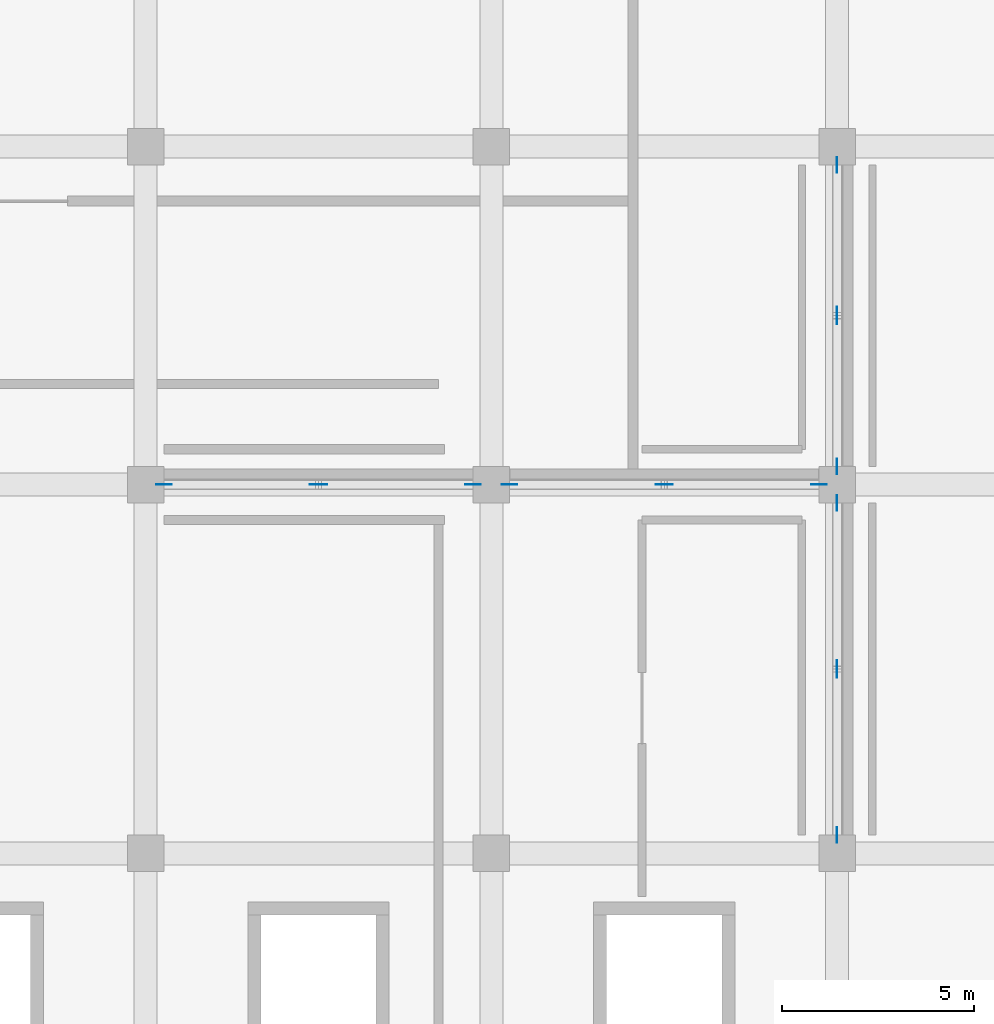
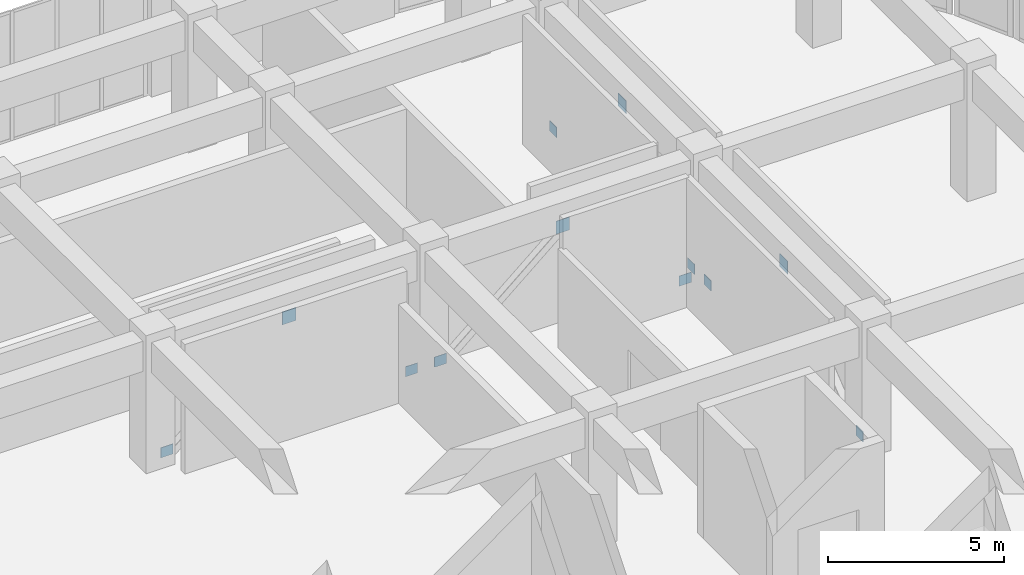
# One storey, part 50 of 86: 12 plates.
"""IFC4 building model written with IfcOpenShell, lengths in metres."""

from ifc_helpers import new_model, si_unit, direction, frame, origin, origin_2d, place, context, subcontext, project, spatial, rectangle, extrude, material, layer, layer_set, type_object, element, save


model = new_model("IFC4")

# Units and contexts
model_context = context("Model", 3, precision=1e-05, world=origin(), true_north=direction((0.0, 1.0)))
body_context = subcontext(model_context, "Body", "Model", "MODEL_VIEW")
ifc_project = project(units=[si_unit("LENGTHUNIT", "METRE"), si_unit("AREAUNIT", "SQUARE_METRE"), si_unit("VOLUMEUNIT", "CUBIC_METRE"), si_unit("PLANEANGLEUNIT", "RADIAN"), si_unit("MASSUNIT", "GRAM", prefix="KILO")], contexts=[model_context])

# Site, building, storey
site_placement = place(None, origin())
site = spatial("IfcSite", under=ifc_project, at=site_placement, CompositionType="ELEMENT")
building_placement = place(site_placement, origin())
building = spatial("IfcBuilding", under=site, at=building_placement, Name="Cendralis Terraced Arcade", CompositionType="ELEMENT")
storey_placement = place(building_placement, frame((0.0, 0.0, 5.39990234375)))
storey = spatial("IfcBuildingStorey", under=building, at=storey_placement, Name="L01", CompositionType="ELEMENT", Elevation=5.39990234375)

# Plates
ifc_material = material(Name="Steel ASTM A572 Grade 50", Category="steel")
ifc_layer_1 = layer(ifc_material, 0.01611328125, Name="PLT-GUS-400x350x16")
ifc_layer_set_1 = layer_set([ifc_layer_1], Name="Steel ASTM A572 Grade 50")
plate_type_1 = type_object("IfcPlateType", Name="PLT-GUS-400x350x16", PredefinedType="SHEET", material=ifc_layer_set_1)
for number, where, z_axis, x_axis, name in (
    (1, (139.675048828125, 98.39990234375, 0.005126953125), (0.0, 0.0, 1.0), (1.0, 0.0, 0.0), "Chevron Brace Base Gusset Plate L01-004-1"),
    (2, (147.72509765625, 98.39990234375, 0.005126953125), (0.0, 0.0, 1.0), (1.0, 0.0, 0.0), "Chevron Brace Base Gusset Plate L01-004-2"),
    (3, (148.675048828125, 98.39990234375, 0.005126953125), (0.0, 0.0, 1.0), (1.0, 0.0, 0.0), "Chevron Brace Base Gusset Plate L01-012-1"),
    (4, (156.72509765625, 98.39990234375, 0.005126953125), (0.0, 0.0, 1.0), (1.0, 0.0, 0.0), "Chevron Brace Base Gusset Plate L01-012-2"),
    (5, (157.199951171875, 89.27490234375, 0.005126953125), (0.0, 0.0, 1.0), (0.0, 1.0, 0.0), "Chevron Brace Base Gusset Plate L01-020-1"),
    (6, (157.199951171875, 97.925048828125, 0.005126953125), (0.0, 0.0, 1.0), (0.0, 1.0, 0.0), "Chevron Brace Base Gusset Plate L01-020-2"),
    (7, (157.199951171875, 98.875, 0.005126953125), (0.0, 0.0, 1.0), (0.0, 1.0, 0.0), "Chevron Brace Base Gusset Plate L01-028-1"),
    (8, (157.199951171875, 106.72509765625, 0.005126953125), (0.0, 0.0, 1.0), (0.0, 1.0, 0.0), "Chevron Brace Base Gusset Plate L01-028-2"),
):
    element("IfcPlate", number, at=place(storey_placement, frame(where, z_axis=z_axis, x_axis=x_axis)), inside=storey, type_object=plate_type_1, Name=name, PredefinedType="SHEET", context=body_context, shape_type="SweptSolid", body=[
        extrude(rectangle(XDim=0.39990234375, YDim=0.01611328125, at=origin_2d()), origin(), (0.0, 0.0, 1.0), 0.35009765625),
    ])
ifc_layer_2 = layer(ifc_material, 0.01611328125, Name="PLT-GUS-450x450x16")
ifc_layer_set_2 = layer_set([ifc_layer_2], Name="Steel ASTM A572 Grade 50")
plate_type_2 = type_object("IfcPlateType", Name="PLT-GUS-450x450x16", PredefinedType="SHEET", material=ifc_layer_set_2)
for number, where, z_axis, x_axis, name in (
    (9, (143.699951171875, 98.39990234375, 3.22998046875), (0.0, 0.0, 1.0), (1.0, 0.0, 0.0), "Chevron Brace Apex Gusset Plate L01-004"),
    (10, (152.699951171875, 98.39990234375, 3.22998046875), (0.0, 0.0, 1.0), (1.0, 0.0, 0.0), "Chevron Brace Apex Gusset Plate L01-012"),
    (11, (157.199951171875, 93.60009765625, 3.22998046875), (0.0, 0.0, 1.0), (0.0, 1.0, 0.0), "Chevron Brace Apex Gusset Plate L01-020"),
    (12, (157.199951171875, 102.800048828125, 3.22998046875), (0.0, 0.0, 1.0), (0.0, 1.0, 0.0), "Chevron Brace Apex Gusset Plate L01-028"),
):
    element("IfcPlate", number, at=place(storey_placement, frame(where, z_axis=z_axis, x_axis=x_axis)), inside=storey, type_object=plate_type_2, Name=name, PredefinedType="SHEET", context=body_context, shape_type="SweptSolid", body=[
        extrude(rectangle(XDim=0.449951171875, YDim=0.01611328125, at=origin_2d()), origin(), (0.0, 0.0, 1.0), 0.449951171875),
    ])

save(model, "model.ifc")
